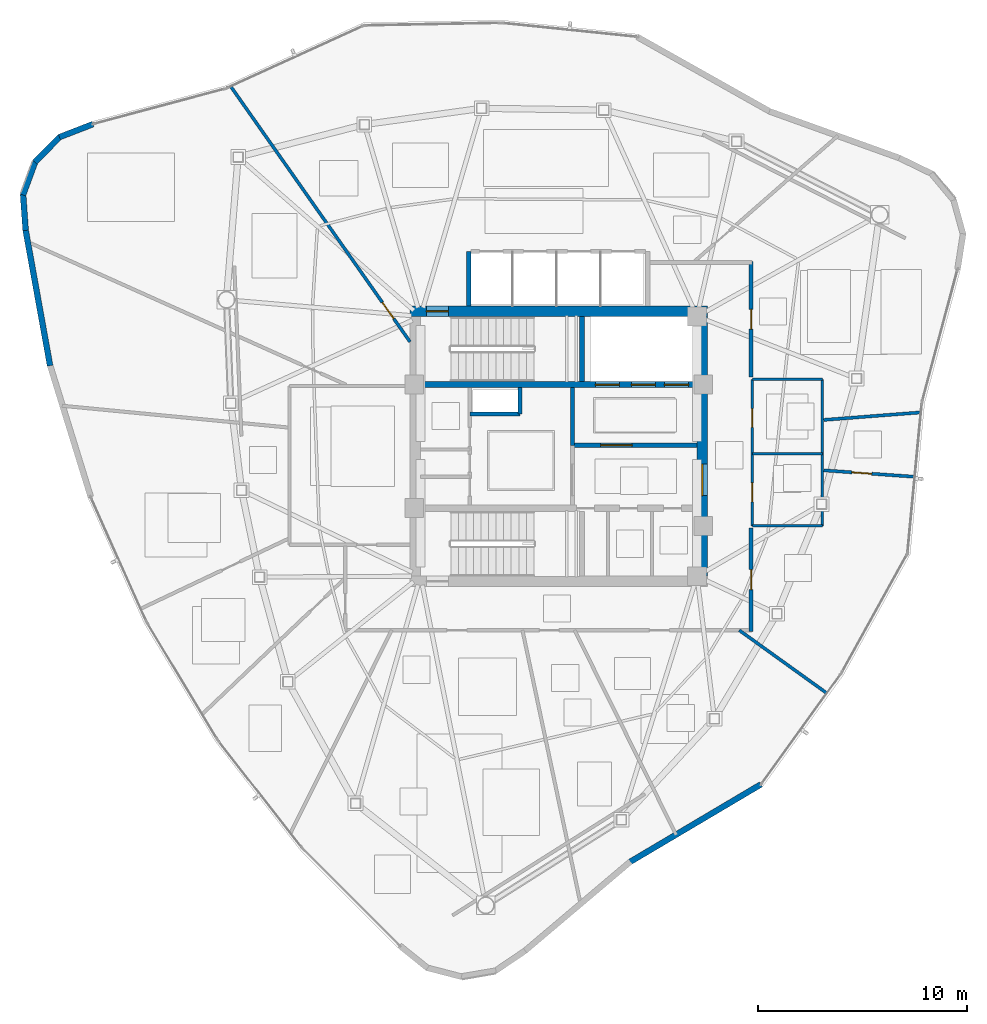
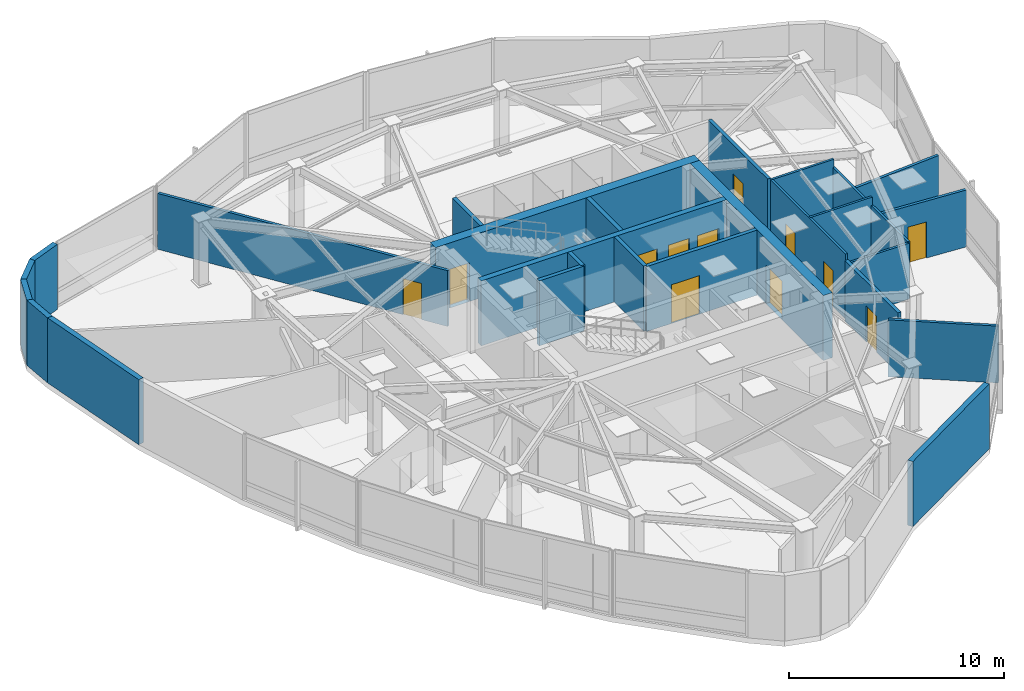
# One storey, part 9 of 12: 26 walls, 12 doors, 12 openings.
"""IFC4 building model written with IfcOpenShell, lengths in metres."""

from ifc_helpers import new_model, si_unit, direction, frame, frame_2d, origin, place, context, subcontext, project, spatial, rectangle, extrude, material, layer, layer_set, type_object, element, fill, save


model = new_model("IFC4")

# Units and contexts
model_context = context("Model", 3, precision=1e-05, world=origin(), true_north=direction((0.0, 1.0)))
body_context = subcontext(model_context, "Body", "Model", "MODEL_VIEW")
ifc_project = project(units=[si_unit("LENGTHUNIT", "METRE"), si_unit("AREAUNIT", "SQUARE_METRE"), si_unit("VOLUMEUNIT", "CUBIC_METRE"), si_unit("PLANEANGLEUNIT", "RADIAN"), si_unit("MASSUNIT", "GRAM", prefix="KILO")], contexts=[model_context])

# Site, building, storey
site_placement = place(None, origin())
site = spatial("IfcSite", under=ifc_project, at=site_placement, CompositionType="ELEMENT")
building_placement = place(site_placement, origin())
building = spatial("IfcBuilding", under=site, at=building_placement, Name="Tavelor Broadcast Tower", CompositionType="ELEMENT")
storey_placement = place(building_placement, frame((0.0, 0.0, 285.5)))
storey = spatial("IfcBuildingStorey", under=building, at=storey_placement, Name="L68", CompositionType="ELEMENT", Elevation=285.5)

# Wall, opening, door
ifc_material_1 = material(Name="Concrete C50/60", Category="concrete")
ifc_layer_1 = layer(ifc_material_1, 0.5)
ifc_layer_set_1 = layer_set([ifc_layer_1], Name="Concrete C50/60")
wall_type_1 = type_object("IfcWallType", Name="Core Shear Wall 500 mm", PredefinedType="SHEAR", material=ifc_layer_set_1)
wall_1_placement = place(storey_placement, frame((42.89990234375, 51.449951171875, 0.0), z_axis=(0.0, 0.0, 1.0), x_axis=(1.0, 0.0, 0.0)))
wall_1 = element("IfcWall", 1, at=wall_1_placement, inside=storey, type_object=wall_type_1, Name="L68 Central Core Shear Wall N", PredefinedType="SHEAR", context=body_context, shape_type="SweptSolid", body=[
    extrude(rectangle(XDim=14.2001953125, YDim=0.5, at=frame_2d((7.10009765625, 0.0))), origin(), (0.0, 0.0, 1.0), 3.699951171875),
])
opening_1_placement = place(wall_1_placement, frame((0.780029296875, 0.0, 0.0)))
opening_1 = element("IfcOpeningElement", 2, at=opening_1_placement, cuts=wall_1, Name="Opening DR11", PredefinedType="OPENING", context=body_context, shape_type="SweptSolid", body=[
    extrude(rectangle(XDim=1.050048828125, YDim=2.199951171875, at=frame_2d((0.52490234375, 1.10009765625))), frame((0.0, 0.260009765625, 0.0), z_axis=(0.0, -1.0, 0.0), x_axis=(1.0, 0.0, 0.0)), (0.0, 0.0, 1.0), 0.52001953125),
])
ifc_material_2 = material(Name="Steel S355", Category="steel")
door_type_1 = type_object("IfcDoorType", Name="Stair Core Fire Escape Door 1050x2200", OperationType="NOTDEFINED", PredefinedType="DOOR", material=ifc_material_2)
door_1_placement = place(opening_1_placement, origin())
door_1 = element("IfcDoor", 3, at=door_1_placement, inside=storey, type_object=door_type_1, Name="L68 Stair ST1 Protected Exit Door", OperationType="SINGLE_SWING_LEFT", OverallHeight=2.199951171875, OverallWidth=1.050048828125, PredefinedType="DOOR", context=body_context, shape_type="SweptSolid", body=[
    extrude(rectangle(XDim=1.050048828125, YDim=2.199951171875, at=frame_2d((0.52490234375, 1.10009765625))), frame((0.0, 0.02490234375, 0.0), z_axis=(0.0, -1.0, 0.0), x_axis=(1.0, 0.0, 0.0)), (0.0, 0.0, 1.0), 0.050048828125),
])
fill(opening_1, door_1)

wall_2_placement = place(storey_placement, frame((56.85009765625, 38.800048828125, 0.0), z_axis=(0.0, 0.0, 1.0), x_axis=(0.0, 1.0, 0.0)))
wall_2 = element("IfcWall", 4, at=wall_2_placement, inside=storey, type_object=wall_type_1, Name="L68 Central Core Shear Wall E", PredefinedType="SHEAR", context=body_context, shape_type="SweptSolid", body=[
    extrude(rectangle(XDim=12.39990234375, YDim=0.5, at=frame_2d((6.199951171875, 0.0))), origin(), (0.0, 0.0, 1.0), 3.699951171875),
])
opening_2_placement = place(wall_2_placement, frame((3.85009765625, 0.0, 0.0)))
opening_2 = element("IfcOpeningElement", 5, at=opening_2_placement, cuts=wall_2, Name="Opening DR14", PredefinedType="OPENING", context=body_context, shape_type="SweptSolid", body=[
    extrude(rectangle(XDim=1.5, YDim=2.199951171875, at=frame_2d((0.75, 1.10009765625))), frame((0.0, 0.260009765625, 0.0), z_axis=(0.0, -1.0, 0.0), x_axis=(1.0, 0.0, 0.0)), (0.0, 0.0, 1.0), 0.52001953125),
])
door_type_2 = type_object("IfcDoorType", Name="Firefighting Lobby Double Fire Door 1500x2200", OperationType="NOTDEFINED", PredefinedType="DOOR", material=ifc_material_2)
door_2_placement = place(opening_2_placement, origin())
door_2 = element("IfcDoor", 6, at=door_2_placement, inside=storey, type_object=door_type_2, Name="L68 Central Core Lobby Fire Door", OperationType="SINGLE_SWING_RIGHT", OverallHeight=2.199951171875, OverallWidth=1.5, PredefinedType="DOOR", context=body_context, shape_type="SweptSolid", body=[
    extrude(rectangle(XDim=1.5, YDim=2.199951171875, at=frame_2d((0.75, 1.10009765625))), frame((0.0, 0.02490234375, 0.0), z_axis=(0.0, -1.0, 0.0), x_axis=(1.0, 0.0, 0.0)), (0.0, 0.0, 1.0), 0.050048828125),
])
fill(opening_2, door_2)

# Wall, openings, doors
ifc_layer_2 = layer(ifc_material_1, 0.300048828125)
ifc_layer_set_2 = layer_set([ifc_layer_2], Name="Concrete C50/60")
wall_type_2 = type_object("IfcWallType", Name="Core Spine Shear Wall 300 mm C50", PredefinedType="SHEAR", material=ifc_layer_set_2)
wall_3_placement = place(storey_placement, frame((43.39990234375, 47.949951171875, 0.0), z_axis=(0.0, 0.0, 1.0), x_axis=(1.0, 0.0, 0.0)))
wall_3 = element("IfcWall", 7, at=wall_3_placement, inside=storey, type_object=wall_type_2, Name="L68 Central Core Shear Wall SP1", PredefinedType="SHEAR", context=body_context, shape_type="SweptSolid", body=[
    extrude(rectangle(XDim=13.2001953125, YDim=0.300048828125, at=frame_2d((6.60009765625, 0.0))), origin(), (0.0, 0.0, 1.0), 3.699951171875),
])
opening_3_placement = place(wall_3_placement, frame((8.344970703125, 0.0, 0.0)))
opening_3 = element("IfcOpeningElement", 8, at=opening_3_placement, cuts=wall_3, Name="Opening LD02", PredefinedType="OPENING", context=body_context, shape_type="SweptSolid", body=[
    extrude(rectangle(XDim=1.14990234375, YDim=2.199951171875, at=frame_2d((0.574951171875, 1.10009765625))), frame((0.0, 0.16015625, 0.0), z_axis=(0.0, -1.0, 0.0), x_axis=(1.0, 0.0, 0.0)), (0.0, 0.0, 1.0), 0.320068359375),
])
opening_4_placement = place(wall_3_placement, frame((10.06494140625, 0.0, 0.0)))
opening_4 = element("IfcOpeningElement", 9, at=opening_4_placement, cuts=wall_3, Name="Opening LD02", PredefinedType="OPENING", context=body_context, shape_type="SweptSolid", body=[
    extrude(rectangle(XDim=1.14990234375, YDim=2.199951171875, at=frame_2d((0.574951171875, 1.10009765625))), frame((0.0, 0.16015625, 0.0), z_axis=(0.0, -1.0, 0.0), x_axis=(1.0, 0.0, 0.0)), (0.0, 0.0, 1.0), 0.320068359375),
])
opening_5_placement = place(wall_3_placement, frame((11.64501953125, 0.0, 0.0)))
opening_5 = element("IfcOpeningElement", 10, at=opening_5_placement, cuts=wall_3, Name="Opening LD03", PredefinedType="OPENING", context=body_context, shape_type="SweptSolid", body=[
    extrude(rectangle(XDim=1.14990234375, YDim=2.199951171875, at=frame_2d((0.574951171875, 1.10009765625))), frame((0.0, 0.16015625, 0.0), z_axis=(0.0, -1.0, 0.0), x_axis=(1.0, 0.0, 0.0)), (0.0, 0.0, 1.0), 0.320068359375),
])
ifc_material_3 = material(Name="Reinforced Brushed Stainless Steel", Category="concrete")
door_type_3 = type_object("IfcDoorType", Name="Broadcast Goods Lift Sliding Landing Door 1250x2200", OperationType="NOTDEFINED", PredefinedType="DOOR", material=ifc_material_3)
door_3_placement = place(opening_5_placement, origin())
door_3 = element("IfcDoor", 11, at=door_3_placement, inside=storey, type_object=door_type_3, Name="L68 Lift SVL1 Sliding Landing Door", OperationType="SLIDING_TO_LEFT", OverallHeight=2.199951171875, OverallWidth=1.14990234375, PredefinedType="DOOR", context=body_context, shape_type="SweptSolid", body=[
    extrude(rectangle(XDim=1.14990234375, YDim=2.199951171875, at=frame_2d((0.574951171875, 1.10009765625))), frame((0.0, 0.02490234375, 0.0), z_axis=(0.0, -1.0, 0.0), x_axis=(1.0, 0.0, 0.0)), (0.0, 0.0, 1.0), 0.050048828125),
])
fill(opening_5, door_3)
ifc_material_4 = material(Name="Fire-Rated Stainless Steel", Category="steel")
door_type_4 = type_object("IfcDoorType", Name="Firefighting Lift Sliding Landing Door 1200x2200", OperationType="NOTDEFINED", PredefinedType="DOOR", material=ifc_material_4)
door_4_placement = place(opening_3_placement, origin())
door_4 = element("IfcDoor", 12, at=door_4_placement, inside=storey, type_object=door_type_4, Name="L68 Lift FFL1 Sliding Landing Door", OperationType="SLIDING_TO_LEFT", OverallHeight=2.199951171875, OverallWidth=1.14990234375, PredefinedType="DOOR", context=body_context, shape_type="SweptSolid", body=[
    extrude(rectangle(XDim=1.14990234375, YDim=2.199951171875, at=frame_2d((0.574951171875, 1.10009765625))), frame((0.0, 0.02490234375, 0.0), z_axis=(0.0, -1.0, 0.0), x_axis=(1.0, 0.0, 0.0)), (0.0, 0.0, 1.0), 0.050048828125),
])
fill(opening_3, door_4)
door_5_placement = place(opening_4_placement, origin())
door_5 = element("IfcDoor", 13, at=door_5_placement, inside=storey, type_object=door_type_4, Name="L68 Lift FFL2 Sliding Landing Door", OperationType="SLIDING_TO_LEFT", OverallHeight=2.199951171875, OverallWidth=1.14990234375, PredefinedType="DOOR", context=body_context, shape_type="SweptSolid", body=[
    extrude(rectangle(XDim=1.14990234375, YDim=2.199951171875, at=frame_2d((0.574951171875, 1.10009765625))), frame((0.0, 0.02490234375, 0.0), z_axis=(0.0, -1.0, 0.0), x_axis=(1.0, 0.0, 0.0)), (0.0, 0.0, 1.0), 0.050048828125),
])
fill(opening_4, door_5)

# Wall, opening, door
ifc_material_5 = material(Name="Calcium Silicate Fire Board 180 mm", Category="gypsum")
ifc_layer_3 = layer(ifc_material_5, 0.179931640625)
ifc_layer_set_3 = layer_set([ifc_layer_3], Name="Calcium Silicate Fire Board 180 mm")
wall_type_3 = type_object("IfcWallType", Name="Fire-Rated Corridor Partition Wall 180 mm", PredefinedType="PARTITIONING", material=ifc_layer_set_3)
wall_4_placement = place(storey_placement, frame((59.179931640625, 53.830078125, 0.0), z_axis=(0.0, 0.0, 1.0), x_axis=(0.0, -1.0, 0.0)))
wall_4 = element("IfcWall", 14, at=wall_4_placement, inside=storey, type_object=wall_type_3, Name="L68 Corridor Compartment Wall 02", PredefinedType="PARTITIONING", context=body_context, shape_type="SweptSolid", body=[
    extrude(rectangle(XDim=5.530029296875, YDim=0.179931640625, at=frame_2d((2.76513671875, 0.0))), origin(), (0.0, 0.0, 1.0), 3.699951171875),
])
opening_6_placement = place(wall_4_placement, frame((2.2900390625, 0.0, 0.0)))
opening_6 = element("IfcOpeningElement", 15, at=opening_6_placement, cuts=wall_4, Name="Opening DR18", PredefinedType="OPENING", context=body_context, shape_type="SweptSolid", body=[
    extrude(rectangle(XDim=0.949951171875, YDim=2.050048828125, at=frame_2d((0.47509765625, 1.02490234375))), frame((0.0, 0.10009765625, 0.0), z_axis=(0.0, -1.0, 0.0), x_axis=(1.0, 0.0, 0.0)), (0.0, 0.0, 1.0), 0.199951171875),
])
ifc_material_6 = material(Name="Timber Solid Core Hardwood", Category="wood")
door_type_5 = type_object("IfcDoorType", Name="Corridor Rated Compartment Door 950x2050", OperationType="NOTDEFINED", PredefinedType="DOOR", material=ifc_material_6)
door_6_placement = place(opening_6_placement, origin())
door_6 = element("IfcDoor", 16, at=door_6_placement, inside=storey, type_object=door_type_5, Name="L68 Broadcast Crew Room Door R10", OperationType="SINGLE_SWING_RIGHT", OverallHeight=2.050048828125, OverallWidth=0.949951171875, PredefinedType="DOOR", context=body_context, shape_type="SweptSolid", body=[
    extrude(rectangle(XDim=0.949951171875, YDim=2.050048828125, at=frame_2d((0.47509765625, 1.02490234375))), frame((0.0, 0.02490234375, 0.0), z_axis=(0.0, -1.0, 0.0), x_axis=(1.0, 0.0, 0.0)), (0.0, 0.0, 1.0), 0.050048828125),
])
fill(opening_6, door_6)

wall_5_placement = place(storey_placement, frame((59.179931640625, 41.10009765625, 0.0), z_axis=(0.0, 0.0, 1.0), x_axis=(0.0, -1.0, 0.0)))
wall_5 = element("IfcWall", 17, at=wall_5_placement, inside=storey, type_object=wall_type_3, Name="L68 Corridor Compartment Wall 03", PredefinedType="PARTITIONING", context=body_context, shape_type="SweptSolid", body=[
    extrude(rectangle(XDim=4.93017578125, YDim=0.179931640625, at=frame_2d((2.465087890625, 0.0))), origin(), (0.0, 0.0, 1.0), 3.43505859375),
])
opening_7_placement = place(wall_5_placement, frame((1.989990234375, 0.0, 0.0)))
opening_7 = element("IfcOpeningElement", 18, at=opening_7_placement, cuts=wall_5, Name="Opening DR18", PredefinedType="OPENING", context=body_context, shape_type="SweptSolid", body=[
    extrude(rectangle(XDim=0.949951171875, YDim=2.050048828125, at=frame_2d((0.47509765625, 1.02490234375))), frame((0.0, 0.10009765625, 0.0), z_axis=(0.0, -1.0, 0.0), x_axis=(1.0, 0.0, 0.0)), (0.0, 0.0, 1.0), 0.199951171875),
])
door_7_placement = place(opening_7_placement, origin())
door_7 = element("IfcDoor", 19, at=door_7_placement, inside=storey, type_object=door_type_5, Name="L68 Broadcast Editorial Office Door R0", OperationType="SINGLE_SWING_LEFT", OverallHeight=2.050048828125, OverallWidth=0.949951171875, PredefinedType="DOOR", context=body_context, shape_type="SweptSolid", body=[
    extrude(rectangle(XDim=0.949951171875, YDim=2.050048828125, at=frame_2d((0.47509765625, 1.02490234375))), frame((0.0, 0.02490234375, 0.0), z_axis=(0.0, -1.0, 0.0), x_axis=(1.0, 0.0, 0.0)), (0.0, 0.0, 1.0), 0.050048828125),
])
fill(opening_7, door_7)

# Walls
ifc_material_7 = material(Name="Precast Concrete C40/50", Category="concrete")
ifc_layer_4 = layer(ifc_material_7, 0.280029296875)
ifc_layer_set_4 = layer_set([ifc_layer_4], Name="Precast Concrete C40/50")
wall_type_4 = type_object("IfcWallType", Name="Insulated Precast Terracotta Facade Wall 280 mm", PredefinedType="STANDARD", material=ifc_layer_set_4)
wall_6_placement = place(storey_placement, frame((27.755615234375, 60.3798828125, 0.0), z_axis=(0.0, 0.0, 1.0), x_axis=(-0.932648667565, -0.36078589619, 0.0)))
element("IfcWall", 20, at=wall_6_placement, inside=storey, type_object=wall_type_4, Name="L68 Rounded Corner Structural Cladding Pier 01", PredefinedType="STANDARD", context=body_context, shape_type="SweptSolid", body=[
    extrude(rectangle(XDim=1.710693359375, YDim=0.280029296875, at=frame_2d((0.85546875, 0.0))), origin(), (0.0, 0.0, 1.0), 3.699951171875),
])
wall_7_placement = place(storey_placement, frame((26.1845703125, 59.77880859375, 0.0), z_axis=(0.0, 0.0, 1.0), x_axis=(-0.7014796282, -0.712689505479, 0.0)))
element("IfcWall", 21, at=wall_7_placement, inside=storey, type_object=wall_type_4, Name="L68 Rounded Corner Structural Cladding Pier 02", PredefinedType="STANDARD", context=body_context, shape_type="SweptSolid", body=[
    extrude(rectangle(XDim=1.69873046875, YDim=0.280029296875, at=frame_2d((0.849365234375, 0.0))), origin(), (0.0, 0.0, 1.0), 3.699951171875),
])
wall_8_placement = place(storey_placement, frame((25.008544921875, 58.5927734375, 0.0), z_axis=(0.0, 0.0, 1.0), x_axis=(-0.346158128974, -0.938176182678, 0.0)))
element("IfcWall", 22, at=wall_8_placement, inside=storey, type_object=wall_type_4, Name="L68 Rounded Corner Structural Cladding Pier 03", PredefinedType="STANDARD", context=body_context, shape_type="SweptSolid", body=[
    extrude(rectangle(XDim=1.698974609375, YDim=0.280029296875, at=frame_2d((0.849609375, 0.0))), origin(), (0.0, 0.0, 1.0), 3.699951171875),
])
wall_9_placement = place(storey_placement, frame((24.424560546875, 57.02783203125, 0.0), z_axis=(0.0, 0.0, 1.0), x_axis=(0.070632192383, -0.997502427766, 0.0)))
element("IfcWall", 23, at=wall_9_placement, inside=storey, type_object=wall_type_4, Name="L68 Rounded Corner Structural Cladding Pier 04", PredefinedType="STANDARD", context=body_context, shape_type="SweptSolid", body=[
    extrude(rectangle(XDim=1.721435546875, YDim=0.280029296875, at=frame_2d((0.86083984375, 0.0))), origin(), (0.0, 0.0, 1.0), 3.699951171875),
])
wall_10_placement = place(storey_placement, frame((24.54248046875, 55.34033203125, 0.0), z_axis=(0.0, 0.0, 1.0), x_axis=(0.177481394919, -0.984124156018, 0.0)))
element("IfcWall", 24, at=wall_10_placement, inside=storey, type_object=wall_type_4, Name="L68 Rounded Corner Structural Cladding Pier 05", PredefinedType="STANDARD", context=body_context, shape_type="SweptSolid", body=[
    extrude(rectangle(XDim=6.595947265625, YDim=0.280029296875, at=frame_2d((3.2978515625, 0.0))), origin(), (0.0, 0.0, 1.0), 3.699951171875),
])
wall_11_placement = place(storey_placement, frame((53.40087890625, 25.15576171875, 0.0), z_axis=(0.0, 0.0, 1.0), x_axis=(0.860282797966, 0.509817131453, 0.0)))
element("IfcWall", 25, at=wall_11_placement, inside=storey, type_object=wall_type_4, Name="L68 Rounded Corner Structural Cladding Pier 16", PredefinedType="STANDARD", context=body_context, shape_type="SweptSolid", body=[
    extrude(rectangle(XDim=7.263671875, YDim=0.280029296875, at=frame_2d((3.6318359375, 0.0))), origin(), (0.0, 0.0, 1.0), 3.699951171875),
])
ifc_material_8 = material(Name="Gypsum Acoustic Plasterboard 150 mm", Category="gypsum")
ifc_layer_5 = layer(ifc_material_8, 0.14990234375)
ifc_layer_set_5 = layer_set([ifc_layer_5], Name="Gypsum Acoustic Plasterboard 150 mm")
wall_type_5 = type_object("IfcWallType", Name="Interior Acoustic Partition Wall 150 mm", PredefinedType="PARTITIONING", material=ifc_layer_set_5)
wall_12_placement = place(storey_placement, frame((58.614990234375, 36.219970703125, 0.0), z_axis=(0.0, 0.0, 1.0), x_axis=(0.812006963526, -0.583647745806, 0.0)))
element("IfcWall", 26, at=wall_12_placement, inside=storey, type_object=wall_type_5, Name="L68 Radial Compartment Wall 07", PredefinedType="PARTITIONING", context=body_context, shape_type="SweptSolid", body=[
    extrude(rectangle(XDim=5.16064453125, YDim=0.14990234375, at=frame_2d((2.580322265625, 0.0))), origin(), (0.0, 0.0, 1.0), 3.235107421875),
])

# Wall, opening, door
wall_13_placement = place(storey_placement, frame((62.64990234375, 43.852783203125, 0.0), z_axis=(0.0, 0.0, 1.0), x_axis=(0.997519631331, -0.070388813801, 0.0)))
wall_13 = element("IfcWall", 27, at=wall_13_placement, inside=storey, type_object=wall_type_5, Name="L68 Radial Compartment Wall 08", PredefinedType="PARTITIONING", context=body_context, shape_type="SweptSolid", body=[
    extrude(rectangle(XDim=4.36669921875, YDim=0.14990234375, at=frame_2d((2.183349609375, 0.0))), origin(), (0.0, 0.0, 1.0), 3.235107421875),
])
opening_8_placement = place(wall_13_placement, frame((1.35009765625, 0.0, 0.0)))
opening_8 = element("IfcOpeningElement", 28, at=opening_8_placement, cuts=wall_13, Name="Opening DR18", PredefinedType="OPENING", context=body_context, shape_type="SweptSolid", body=[
    extrude(rectangle(XDim=0.949951171875, YDim=2.050048828125, at=frame_2d((0.47509765625, 1.02490234375))), frame((0.0, 0.0849609375, 0.0), z_axis=(0.0, -1.0, 0.0), x_axis=(1.0, 0.0, 0.0)), (0.0, 0.0, 1.0), 0.169921875),
])
door_8_placement = place(opening_8_placement, origin())
door_8 = element("IfcDoor", 29, at=door_8_placement, inside=storey, type_object=door_type_5, Name="L68 Suite Connecting Door 11", OperationType="SINGLE_SWING_RIGHT", OverallHeight=2.050048828125, OverallWidth=0.949951171875, PredefinedType="DOOR", context=body_context, shape_type="SweptSolid", body=[
    extrude(rectangle(XDim=0.949951171875, YDim=2.050048828125, at=frame_2d((0.47509765625, 1.02490234375))), frame((0.0, 0.02490234375, 0.0), z_axis=(0.0, -1.0, 0.0), x_axis=(1.0, 0.0, 0.0)), (0.0, 0.0, 1.0), 0.050048828125),
])
fill(opening_8, door_8)

# Wall
wall_14_placement = place(storey_placement, frame((62.64990234375, 46.260009765625, 0.0), z_axis=(0.0, 0.0, 1.0), x_axis=(0.997005938074, 0.077325024708, 0.0)))
element("IfcWall", 30, at=wall_14_placement, inside=storey, type_object=wall_type_5, Name="L68 Radial Compartment Wall 09", PredefinedType="PARTITIONING", context=body_context, shape_type="SweptSolid", body=[
    extrude(rectangle(XDim=4.663330078125, YDim=0.14990234375, at=frame_2d((2.33154296875, 0.0))), origin(), (0.0, 0.0, 1.0), 3.235107421875),
])

# Wall, opening, door
wall_15_placement = place(storey_placement, frame((42.89990234375, 49.986083984375, 0.0), z_axis=(0.0, 0.0, 1.0), x_axis=(-0.574534288992, 0.818480513373, 0.0)))
wall_15 = element("IfcWall", 31, at=wall_15_placement, inside=storey, type_object=wall_type_5, Name="L68 Radial Compartment Wall 11", PredefinedType="PARTITIONING", context=body_context, shape_type="SweptSolid", body=[
    extrude(rectangle(XDim=14.911865234375, YDim=0.14990234375, at=frame_2d((7.4560546875, 0.0))), origin(), (0.0, 0.0, 1.0), 3.175048828125),
])
opening_9_placement = place(wall_15_placement, frame((1.35009765625, 0.0, 0.0)))
opening_9 = element("IfcOpeningElement", 32, at=opening_9_placement, cuts=wall_15, Name="Opening DR18", PredefinedType="OPENING", context=body_context, shape_type="SweptSolid", body=[
    extrude(rectangle(XDim=0.949951171875, YDim=2.050048828125, at=frame_2d((0.47509765625, 1.02490234375))), frame((0.0, 0.0849609375, 0.0), z_axis=(0.0, -1.0, 0.0), x_axis=(1.0, 0.0, 0.0)), (0.0, 0.0, 1.0), 0.169921875),
])
door_9_placement = place(opening_9_placement, origin())
door_9 = element("IfcDoor", 33, at=door_9_placement, inside=storey, type_object=door_type_5, Name="L68 Suite Connecting Door 8", OperationType="SINGLE_SWING_RIGHT", OverallHeight=2.050048828125, OverallWidth=0.949951171875, PredefinedType="DOOR", context=body_context, shape_type="SweptSolid", body=[
    extrude(rectangle(XDim=0.949951171875, YDim=2.050048828125, at=frame_2d((0.47509765625, 1.02490234375))), frame((0.0, 0.02490234375, 0.0), z_axis=(0.0, -1.0, 0.0), x_axis=(1.0, 0.0, 0.0)), (0.0, 0.0, 1.0), 0.050048828125),
])
fill(opening_9, door_9)

# Walls
ifc_material_9 = material(Name="Concrete Blockwork 200 mm", Category="masonry")
ifc_layer_6 = layer(ifc_material_9, 0.199951171875)
ifc_layer_set_6 = layer_set([ifc_layer_6], Name="Concrete Blockwork 200 mm")
wall_type_6 = type_object("IfcWallType", Name="Lift and Riser Shaft Enclosure Wall 200 mm", PredefinedType="PARTITIONING", material=ifc_layer_set_6)
wall_16_placement = place(storey_placement, frame((45.699951171875, 51.699951171875, 0.0), z_axis=(0.0, 0.0, 1.0), x_axis=(0.0, 1.0, 0.0)))
element("IfcWall", 34, at=wall_16_placement, inside=storey, type_object=wall_type_6, Name="L68 High-Rise Lift Shaft West Wall", PredefinedType="PARTITIONING", context=body_context, shape_type="SweptSolid", body=[
    extrude(rectangle(XDim=2.60009765625, YDim=0.199951171875, at=frame_2d((1.300048828125, 0.0))), origin(), (0.0, 0.0, 1.0), 3.699951171875),
])
wall_17_placement = place(storey_placement, frame((45.75, 46.550048828125, 0.0), z_axis=(0.0, 0.0, 1.0), x_axis=(1.0, 0.0, 0.0)))
element("IfcWall", 35, at=wall_17_placement, inside=storey, type_object=wall_type_6, Name="L68 Riser Shaft South Wall", PredefinedType="PARTITIONING", context=body_context, shape_type="SweptSolid", body=[
    extrude(rectangle(XDim=2.39990234375, YDim=0.199951171875, at=frame_2d((1.199951171875, 0.0))), origin(), (0.0, 0.0, 1.0), 3.699951171875),
])
wall_18_placement = place(storey_placement, frame((48.14990234375, 46.550048828125, 0.0), z_axis=(0.0, 0.0, 1.0), x_axis=(0.0, 1.0, 0.0)))
element("IfcWall", 36, at=wall_18_placement, inside=storey, type_object=wall_type_6, Name="L68 Riser Shaft East Wall", PredefinedType="PARTITIONING", context=body_context, shape_type="SweptSolid", body=[
    extrude(rectangle(XDim=1.25, YDim=0.199951171875, at=frame_2d((0.625, 0.0))), origin(), (0.0, 0.0, 1.0), 3.699951171875),
])

# Wall, opening, door
wall_19_placement = place(storey_placement, frame((50.64990234375, 45.050048828125, 0.0), z_axis=(0.0, 0.0, 1.0), x_axis=(1.0, 0.0, 0.0)))
wall_19 = element("IfcWall", 37, at=wall_19_placement, inside=storey, type_object=wall_type_6, Name="L68 Firefighting Lobby South Wall", PredefinedType="PARTITIONING", context=body_context, shape_type="SweptSolid", body=[
    extrude(rectangle(XDim=5.9501953125, YDim=0.199951171875, at=frame_2d((2.97509765625, 0.0))), origin(), (0.0, 0.0, 1.0), 3.699951171875),
])
opening_10_placement = place(wall_19_placement, frame((1.35009765625, 0.0, 0.0)))
opening_10 = element("IfcOpeningElement", 38, at=opening_10_placement, cuts=wall_19, Name="Opening DR14", PredefinedType="OPENING", context=body_context, shape_type="SweptSolid", body=[
    extrude(rectangle(XDim=1.5, YDim=2.199951171875, at=frame_2d((0.75, 1.10009765625))), frame((0.0, 0.10986328125, 0.0), z_axis=(0.0, -1.0, 0.0), x_axis=(1.0, 0.0, 0.0)), (0.0, 0.0, 1.0), 0.219970703125),
])
door_10_placement = place(opening_10_placement, origin())
door_10 = element("IfcDoor", 39, at=door_10_placement, inside=storey, type_object=door_type_2, Name="L68 Firefighting Lobby Compartment Door", OperationType="SINGLE_SWING_LEFT", OverallHeight=2.199951171875, OverallWidth=1.5, PredefinedType="DOOR", context=body_context, shape_type="SweptSolid", body=[
    extrude(rectangle(XDim=1.5, YDim=2.199951171875, at=frame_2d((0.75, 1.10009765625))), frame((0.0, 0.02490234375, 0.0), z_axis=(0.0, -1.0, 0.0), x_axis=(1.0, 0.0, 0.0)), (0.0, 0.0, 1.0), 0.050048828125),
])
fill(opening_10, door_10)

# Wall
wall_20_placement = place(storey_placement, frame((50.64990234375, 45.050048828125, 0.0), z_axis=(0.0, 0.0, 1.0), x_axis=(0.0, 1.0, 0.0)))
element("IfcWall", 40, at=wall_20_placement, inside=storey, type_object=wall_type_6, Name="L68 Firefighting Lobby West Wall", PredefinedType="PARTITIONING", context=body_context, shape_type="SweptSolid", body=[
    extrude(rectangle(XDim=2.75, YDim=0.199951171875, at=frame_2d((1.375, 0.0))), origin(), (0.0, 0.0, 1.0), 3.699951171875),
])

# Wall, openings, doors
ifc_material_10 = material(Name="Moisture-Resistant Plasterboard 120 mm", Category="gypsum")
ifc_layer_7 = layer(ifc_material_10, 0.1201171875)
ifc_layer_set_7 = layer_set([ifc_layer_7], Name="Moisture-Resistant Plasterboard 120 mm")
wall_type_7 = type_object("IfcWallType", Name="Moisture-Resistant Wet-Room Partition 120 mm", PredefinedType="PARTITIONING", material=ifc_layer_set_7)
wall_21_placement = place(storey_placement, frame((59.239990234375, 41.199951171875, 0.0), z_axis=(0.0, 0.0, 1.0), x_axis=(0.0, 1.0, 0.0)))
wall_21 = element("IfcWall", 41, at=wall_21_placement, inside=storey, type_object=wall_type_7, Name="L68 Floor Washrooms West Wall", PredefinedType="PARTITIONING", context=body_context, shape_type="SweptSolid", body=[
    extrude(rectangle(XDim=7.0, YDim=0.1201171875, at=frame_2d((3.5, 0.0))), origin(), (0.0, 0.0, 1.0), 3.699951171875),
])
opening_11_placement = place(wall_21_placement, frame((1.14990234375, 0.0, 0.0)))
opening_11 = element("IfcOpeningElement", 42, at=opening_11_placement, cuts=wall_21, Name="Opening DR32", PredefinedType="OPENING", context=body_context, shape_type="SweptSolid", body=[
    extrude(rectangle(XDim=0.89990234375, YDim=2.050048828125, at=frame_2d((0.449951171875, 1.02490234375))), frame((0.0, 0.070068359375, 0.0), z_axis=(0.0, -1.0, 0.0), x_axis=(1.0, 0.0, 0.0)), (0.0, 0.0, 1.0), 0.14013671875),
])
opening_12_placement = place(wall_21_placement, frame((4.699951171875, 0.0, 0.0)))
opening_12 = element("IfcOpeningElement", 43, at=opening_12_placement, cuts=wall_21, Name="Opening DR32", PredefinedType="OPENING", context=body_context, shape_type="SweptSolid", body=[
    extrude(rectangle(XDim=0.89990234375, YDim=2.050048828125, at=frame_2d((0.449951171875, 1.02490234375))), frame((0.0, 0.070068359375, 0.0), z_axis=(0.0, -1.0, 0.0), x_axis=(1.0, 0.0, 0.0)), (0.0, 0.0, 1.0), 0.14013671875),
])
door_type_6 = type_object("IfcDoorType", Name="Accessible Washroom Door 900x2050", OperationType="NOTDEFINED", PredefinedType="DOOR", material=ifc_material_6)
door_11_placement = place(opening_11_placement, origin())
door_11 = element("IfcDoor", 44, at=door_11_placement, inside=storey, type_object=door_type_6, Name="L68 Accessible WC Door", OperationType="SINGLE_SWING_LEFT", OverallHeight=2.050048828125, OverallWidth=0.89990234375, PredefinedType="DOOR", context=body_context, shape_type="SweptSolid", body=[
    extrude(rectangle(XDim=0.89990234375, YDim=2.050048828125, at=frame_2d((0.449951171875, 1.02490234375))), frame((0.0, 0.02490234375, 0.0), z_axis=(0.0, -1.0, 0.0), x_axis=(1.0, 0.0, 0.0)), (0.0, 0.0, 1.0), 0.050048828125),
])
fill(opening_11, door_11)
door_12_placement = place(opening_12_placement, origin())
door_12 = element("IfcDoor", 45, at=door_12_placement, inside=storey, type_object=door_type_6, Name="L68 Staff Washroom WC Door", OperationType="SINGLE_SWING_RIGHT", OverallHeight=2.050048828125, OverallWidth=0.89990234375, PredefinedType="DOOR", context=body_context, shape_type="SweptSolid", body=[
    extrude(rectangle(XDim=0.89990234375, YDim=2.050048828125, at=frame_2d((0.449951171875, 1.02490234375))), frame((0.0, 0.02490234375, 0.0), z_axis=(0.0, -1.0, 0.0), x_axis=(1.0, 0.0, 0.0)), (0.0, 0.0, 1.0), 0.050048828125),
])
fill(opening_12, door_12)

# Walls
wall_22_placement = place(storey_placement, frame((59.239990234375, 41.199951171875, 0.0), z_axis=(0.0, 0.0, 1.0), x_axis=(1.0, 0.0, 0.0)))
element("IfcWall", 46, at=wall_22_placement, inside=storey, type_object=wall_type_7, Name="L68 Floor Washrooms South Wall", PredefinedType="PARTITIONING", context=body_context, shape_type="SweptSolid", body=[
    extrude(rectangle(XDim=3.340087890625, YDim=0.1201171875, at=frame_2d((1.669921875, 0.0))), origin(), (0.0, 0.0, 1.0), 3.175048828125),
])
for number, where, z_axis, x_axis, name in (
    (47, (59.239990234375, 44.64990234375, 0.0), (0.0, 0.0, 1.0), (1.0, 0.0, 0.0), "L68 Floor Washrooms Divider Wall"),
    (48, (59.239990234375, 48.199951171875, 0.0), (0.0, 0.0, 1.0), (1.0, 0.0, 0.0), "L68 Floor Washrooms North Wall"),
):
    element("IfcWall", number, at=place(storey_placement, frame(where, z_axis=z_axis, x_axis=x_axis)), inside=storey, type_object=wall_type_7, Name=name, PredefinedType="PARTITIONING", context=body_context, shape_type="SweptSolid", body=[
        extrude(rectangle(XDim=3.340087890625, YDim=0.1201171875, at=frame_2d((1.669921875, 0.0))), origin(), (0.0, 0.0, 1.0), 3.699951171875),
    ])
wall_23_placement = place(storey_placement, frame((62.580078125, 41.199951171875, 0.0), z_axis=(0.0, 0.0, 1.0), x_axis=(0.0, 1.0, 0.0)))
element("IfcWall", 49, at=wall_23_placement, inside=storey, type_object=wall_type_7, Name="L68 Floor Washrooms East Wall", PredefinedType="PARTITIONING", context=body_context, shape_type="SweptSolid", body=[
    extrude(rectangle(XDim=7.0, YDim=0.1201171875, at=frame_2d((3.5, 0.0))), origin(), (0.0, 0.0, 1.0), 3.235107421875),
])
ifc_material_11 = material(Name="Concrete C40/50", Category="concrete")
ifc_layer_8 = layer(ifc_material_11, 0.219970703125)
ifc_layer_set_8 = layer_set([ifc_layer_8], Name="Concrete C40/50")
wall_type_8 = type_object("IfcWallType", Name="Structural Stairwell Shear Wall 220 mm", PredefinedType="SHEAR", material=ifc_layer_set_8)
wall_24_placement = place(storey_placement, frame((51.110107421875, 48.10009765625, 0.0), z_axis=(0.0, 0.0, 1.0), x_axis=(0.0, 1.0, 0.0)))
element("IfcWall", 50, at=wall_24_placement, inside=storey, type_object=wall_type_8, Name="L68 Stair ST1 Structural Shaft Wall", PredefinedType="SHEAR", context=body_context, shape_type="SweptSolid", body=[
    extrude(rectangle(XDim=3.099853515625, YDim=0.219970703125, at=frame_2d((1.5498046875, 0.0))), origin(), (0.0, 0.0, 1.0), 3.699951171875),
])

save(model, "model.ifc")
